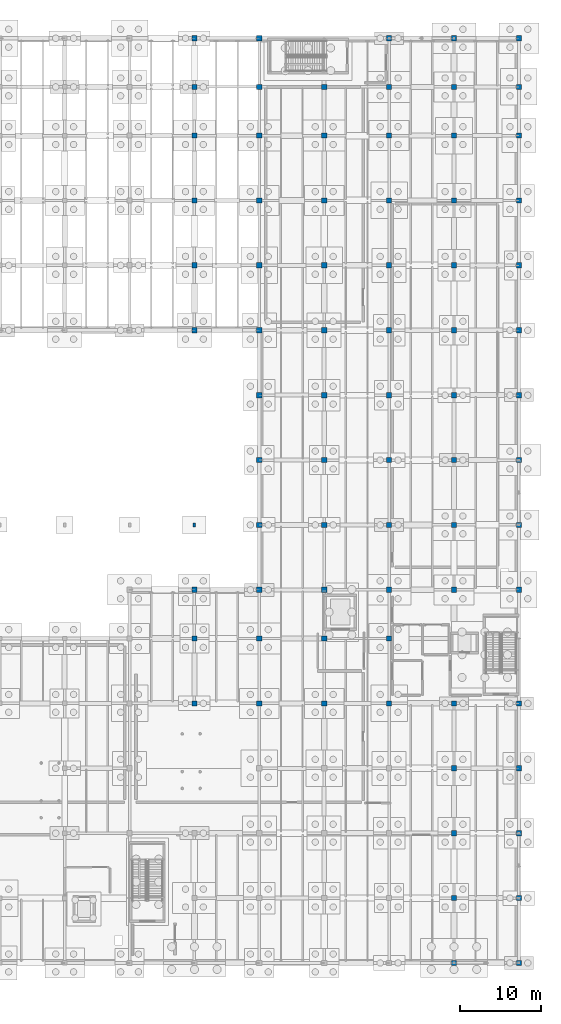
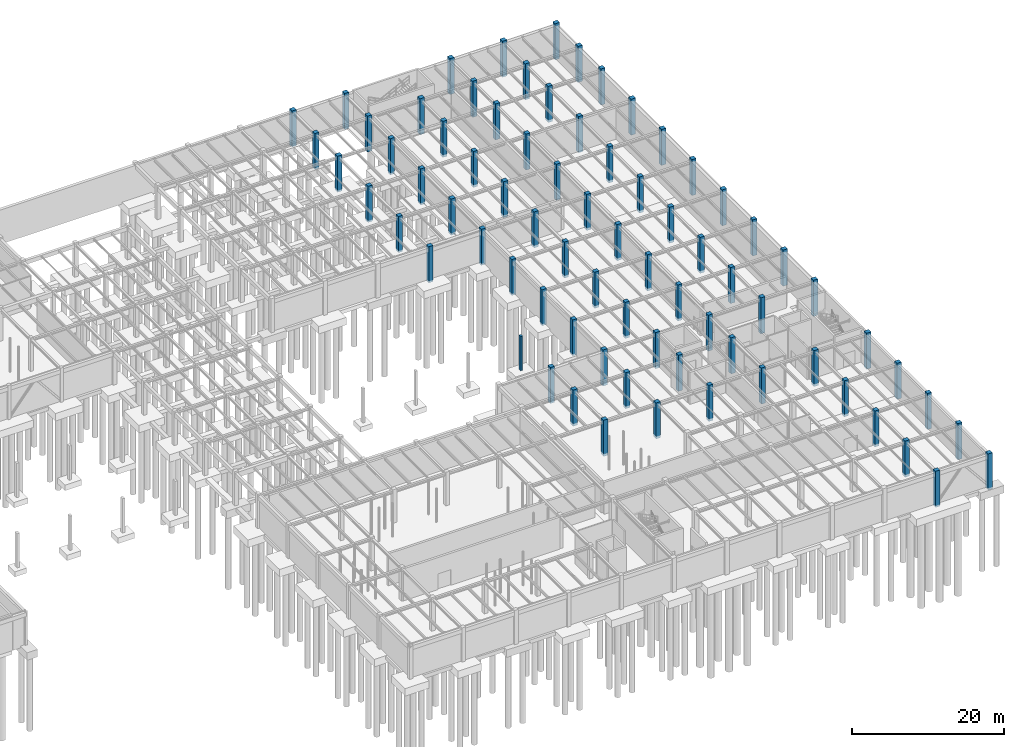
# One storey, part 23 of 71: 75 columns.
"""IFC4 building model written with IfcOpenShell, lengths in metres."""

from ifc_helpers import new_model, si_unit, direction, frame, origin, origin_2d, place, context, subcontext, project, spatial, rectangle, extrude, material, material_profile, profile_set, type_object, element, save


model = new_model("IFC4")

# Units and contexts
model_context = context("Model", 3, precision=1e-05, world=origin(), true_north=direction((0.0, 1.0)))
body_context = subcontext(model_context, "Body", "Model", "MODEL_VIEW")
ifc_project = project(units=[si_unit("LENGTHUNIT", "METRE"), si_unit("AREAUNIT", "SQUARE_METRE"), si_unit("VOLUMEUNIT", "CUBIC_METRE"), si_unit("PLANEANGLEUNIT", "RADIAN"), si_unit("MASSUNIT", "GRAM", prefix="KILO")], contexts=[model_context])

# Site, building, storey
site_placement = place(None, origin())
site = spatial("IfcSite", under=ifc_project, at=site_placement, CompositionType="ELEMENT")
building_placement = place(site_placement, origin())
building = spatial("IfcBuilding", under=site, at=building_placement, Name="Sundkrona Museum", CompositionType="ELEMENT")
storey_placement = place(building_placement, frame((0.0, 0.0, -5.39990234375)))
storey = spatial("IfcBuildingStorey", under=building, at=storey_placement, Name="B1", CompositionType="ELEMENT", Elevation=-5.39990234375)

# Columns
ifc_material = material(Name="Concrete C40/50", Category="concrete")
ifc_material_profile_1 = material_profile(ifc_material, rectangle(XDim=0.64990234375, YDim=0.64990234375, at=origin_2d()), Name="RC 650x650")
ifc_profile_set_1 = profile_set([ifc_material_profile_1], Name="Concrete C40/50")
column_type_1 = type_object("IfcColumnType", Name="C-RC650", PredefinedType="COLUMN", material=ifc_profile_set_1)
for number, where, z_axis, x_axis, name in (
    (1, (128.0, 32.0, -0.400146484375), (0.0, 0.0, 1.0), (1.0, 0.0, 0.0), "B1 Column E/17"),
    (2, (128.0, 40.0, -0.400146484375), (0.0, 0.0, 1.0), (1.0, 0.0, 0.0), "B1 Column F/17"),
    (3, (128.0, 46.0, -0.400146484375), (0.0, 0.0, 1.0), (1.0, 0.0, 0.0), "B1 Column G/17"),
    (4, (128.0, 78.0, -0.400146484375), (0.0, 0.0, 1.0), (1.0, 0.0, 0.0), "B1 Column L/17"),
    (5, (128.0, 86.0, -0.400146484375), (0.0, 0.0, 1.0), (1.0, 0.0, 0.0), "B1 Column M/17"),
    (6, (128.0, 94.0, -0.400146484375), (0.0, 0.0, 1.0), (1.0, 0.0, 0.0), "B1 Column N/17"),
    (7, (128.0, 102.0, -0.400146484375), (0.0, 0.0, 1.0), (1.0, 0.0, 0.0), "B1 Column P/17"),
    (8, (128.0, 108.0, -0.400146484375), (0.0, 0.0, 1.0), (1.0, 0.0, 0.0), "B1 Column Q/17"),
    (9, (128.0, 114.0, -0.400146484375), (0.0, 0.0, 1.0), (1.0, 0.0, 0.0), "B1 Column R/17"),
    (10, (136.0, 32.0, -0.400146484375), (0.0, 0.0, 1.0), (1.0, 0.0, 0.0), "B1 Column E/18"),
    (11, (136.0, 40.0, -0.400146484375), (0.0, 0.0, 1.0), (1.0, 0.0, 0.0), "B1 Column F/18"),
    (12, (136.0, 46.0, -0.400146484375), (0.0, 0.0, 1.0), (1.0, 0.0, 0.0), "B1 Column G/18"),
    (13, (136.0, 54.0, -0.400146484375), (0.0, 0.0, 1.0), (1.0, 0.0, 0.0), "B1 Column H/18"),
    (14, (136.0, 62.0, -0.400146484375), (0.0, 0.0, 1.0), (1.0, 0.0, 0.0), "B1 Column J/18"),
    (15, (136.0, 70.0, -0.400146484375), (0.0, 0.0, 1.0), (1.0, 0.0, 0.0), "B1 Column K/18"),
    (16, (136.0, 78.0, -0.400146484375), (0.0, 0.0, 1.0), (1.0, 0.0, 0.0), "B1 Column L/18"),
    (17, (136.0, 86.0, -0.400146484375), (0.0, 0.0, 1.0), (1.0, 0.0, 0.0), "B1 Column M/18"),
    (18, (136.0, 94.0, -0.400146484375), (0.0, 0.0, 1.0), (1.0, 0.0, 0.0), "B1 Column N/18"),
    (19, (136.0, 102.0, -0.400146484375), (0.0, 0.0, 1.0), (1.0, 0.0, 0.0), "B1 Column P/18"),
    (20, (136.0, 108.0, -0.400146484375), (0.0, 0.0, 1.0), (1.0, 0.0, 0.0), "B1 Column Q/18"),
    (21, (136.0, 114.0, -0.400146484375), (0.0, 0.0, 1.0), (1.0, 0.0, 0.0), "B1 Column R/18"),
    (22, (144.0, 32.0, -0.400146484375), (0.0, 0.0, 1.0), (1.0, 0.0, 0.0), "B1 Column E/19"),
    (23, (144.0, 40.0, -0.400146484375), (0.0, 0.0, 1.0), (1.0, 0.0, 0.0), "B1 Column F/19"),
    (24, (144.0, 46.0, -0.400146484375), (0.0, 0.0, 1.0), (1.0, 0.0, 0.0), "B1 Column G/19"),
    (25, (144.0, 54.0, -0.400146484375), (0.0, 0.0, 1.0), (1.0, 0.0, 0.0), "B1 Column H/19"),
    (26, (144.0, 62.0, -0.400146484375), (0.0, 0.0, 1.0), (1.0, 0.0, 0.0), "B1 Column J/19"),
    (27, (144.0, 70.0, -0.400146484375), (0.0, 0.0, 1.0), (1.0, 0.0, 0.0), "B1 Column K/19"),
    (28, (144.0, 78.0, -0.400146484375), (0.0, 0.0, 1.0), (1.0, 0.0, 0.0), "B1 Column L/19"),
    (29, (144.0, 86.0, -0.400146484375), (0.0, 0.0, 1.0), (1.0, 0.0, 0.0), "B1 Column M/19"),
    (30, (144.0, 94.0, -0.400146484375), (0.0, 0.0, 1.0), (1.0, 0.0, 0.0), "B1 Column N/19"),
    (31, (144.0, 102.0, -0.400146484375), (0.0, 0.0, 1.0), (1.0, 0.0, 0.0), "B1 Column P/19"),
    (32, (144.0, 108.0, -0.400146484375), (0.0, 0.0, 1.0), (1.0, 0.0, 0.0), "B1 Column Q/19"),
    (33, (152.0, 32.0, -0.400146484375), (0.0, 0.0, 1.0), (1.0, 0.0, 0.0), "B1 Column E/20"),
    (34, (152.0, 40.0, -0.400146484375), (0.0, 0.0, 1.0), (1.0, 0.0, 0.0), "B1 Column F/20"),
    (35, (152.0, 46.0, -0.400146484375), (0.0, 0.0, 1.0), (1.0, 0.0, 0.0), "B1 Column G/20"),
    (36, (152.0, 54.0, -0.400146484375), (0.0, 0.0, 1.0), (1.0, 0.0, 0.0), "B1 Column H/20"),
    (37, (152.0, 62.0, -0.400146484375), (0.0, 0.0, 1.0), (1.0, 0.0, 0.0), "B1 Column J/20"),
    (38, (152.0, 70.0, -0.400146484375), (0.0, 0.0, 1.0), (1.0, 0.0, 0.0), "B1 Column K/20"),
    (39, (152.0, 78.0, -0.400146484375), (0.0, 0.0, 1.0), (1.0, 0.0, 0.0), "B1 Column L/20"),
    (40, (152.0, 86.0, -0.400146484375), (0.0, 0.0, 1.0), (1.0, 0.0, 0.0), "B1 Column M/20"),
    (41, (152.0, 94.0, -0.400146484375), (0.0, 0.0, 1.0), (1.0, 0.0, 0.0), "B1 Column N/20"),
    (42, (152.0, 102.0, -0.400146484375), (0.0, 0.0, 1.0), (1.0, 0.0, 0.0), "B1 Column P/20"),
    (43, (152.0, 108.0, -0.400146484375), (0.0, 0.0, 1.0), (1.0, 0.0, 0.0), "B1 Column Q/20"),
    (44, (152.0, 114.0, -0.400146484375), (0.0, 0.0, 1.0), (1.0, 0.0, 0.0), "B1 Column R/20"),
    (45, (160.0, 0.0, -0.400146484375), (0.0, 0.0, 1.0), (1.0, 0.0, 0.0), "B1 Column A/21"),
    (46, (160.0, 8.0, -0.400146484375), (0.0, 0.0, 1.0), (1.0, 0.0, 0.0), "B1 Column B/21"),
    (47, (160.0, 16.0, -0.400146484375), (0.0, 0.0, 1.0), (1.0, 0.0, 0.0), "B1 Column C/21"),
    (48, (160.0, 24.0, -0.400146484375), (0.0, 0.0, 1.0), (1.0, 0.0, 0.0), "B1 Column D/21"),
    (49, (160.0, 32.0, -0.400146484375), (0.0, 0.0, 1.0), (1.0, 0.0, 0.0), "B1 Column E/21"),
    (50, (160.0, 46.0, -0.400146484375), (0.0, 0.0, 1.0), (1.0, 0.0, 0.0), "B1 Column G/21"),
    (51, (160.0, 54.0, -0.400146484375), (0.0, 0.0, 1.0), (1.0, 0.0, 0.0), "B1 Column H/21"),
    (52, (160.0, 62.0, -0.400146484375), (0.0, 0.0, 1.0), (1.0, 0.0, 0.0), "B1 Column J/21"),
    (53, (160.0, 70.0, -0.400146484375), (0.0, 0.0, 1.0), (1.0, 0.0, 0.0), "B1 Column K/21"),
    (54, (160.0, 78.0, -0.400146484375), (0.0, 0.0, 1.0), (1.0, 0.0, 0.0), "B1 Column L/21"),
    (55, (160.0, 86.0, -0.400146484375), (0.0, 0.0, 1.0), (1.0, 0.0, 0.0), "B1 Column M/21"),
    (56, (160.0, 94.0, -0.400146484375), (0.0, 0.0, 1.0), (1.0, 0.0, 0.0), "B1 Column N/21"),
    (57, (160.0, 102.0, -0.400146484375), (0.0, 0.0, 1.0), (1.0, 0.0, 0.0), "B1 Column P/21"),
    (58, (160.0, 108.0, -0.400146484375), (0.0, 0.0, 1.0), (1.0, 0.0, 0.0), "B1 Column Q/21"),
    (59, (160.0, 114.0, -0.400146484375), (0.0, 0.0, 1.0), (1.0, 0.0, 0.0), "B1 Column R/21"),
    (60, (168.0, 0.0, -0.400146484375), (0.0, 0.0, 1.0), (1.0, 0.0, 0.0), "B1 Column A/22"),
    (61, (168.0, 8.0, -0.400146484375), (0.0, 0.0, 1.0), (1.0, 0.0, 0.0), "B1 Column B/22"),
    (62, (168.0, 16.0, -0.400146484375), (0.0, 0.0, 1.0), (1.0, 0.0, 0.0), "B1 Column C/22"),
    (63, (168.0, 24.0, -0.400146484375), (0.0, 0.0, 1.0), (1.0, 0.0, 0.0), "B1 Column D/22"),
    (64, (168.0, 32.0, -0.400146484375), (0.0, 0.0, 1.0), (1.0, 0.0, 0.0), "B1 Column E/22"),
    (65, (168.0, 46.0, -0.400146484375), (0.0, 0.0, 1.0), (1.0, 0.0, 0.0), "B1 Column G/22"),
    (66, (168.0, 54.0, -0.400146484375), (0.0, 0.0, 1.0), (1.0, 0.0, 0.0), "B1 Column H/22"),
    (67, (168.0, 62.0, -0.400146484375), (0.0, 0.0, 1.0), (1.0, 0.0, 0.0), "B1 Column J/22"),
    (68, (168.0, 70.0, -0.400146484375), (0.0, 0.0, 1.0), (1.0, 0.0, 0.0), "B1 Column K/22"),
    (69, (168.0, 78.0, -0.400146484375), (0.0, 0.0, 1.0), (1.0, 0.0, 0.0), "B1 Column L/22"),
    (70, (168.0, 86.0, -0.400146484375), (0.0, 0.0, 1.0), (1.0, 0.0, 0.0), "B1 Column M/22"),
    (71, (168.0, 94.0, -0.400146484375), (0.0, 0.0, 1.0), (1.0, 0.0, 0.0), "B1 Column N/22"),
    (72, (168.0, 102.0, -0.400146484375), (0.0, 0.0, 1.0), (1.0, 0.0, 0.0), "B1 Column P/22"),
    (73, (168.0, 108.0, -0.400146484375), (0.0, 0.0, 1.0), (1.0, 0.0, 0.0), "B1 Column Q/22"),
    (74, (168.0, 114.0, -0.400146484375), (0.0, 0.0, 1.0), (1.0, 0.0, 0.0), "B1 Column R/22"),
):
    element("IfcColumn", number, at=place(storey_placement, frame(where, z_axis=z_axis, x_axis=x_axis)), inside=storey, type_object=column_type_1, Name=name, PredefinedType="COLUMN", context=body_context, shape_type="SweptSolid", body=[
        extrude(rectangle(XDim=0.64990234375, YDim=0.64990234375, at=origin_2d()), origin(), (0.0, 0.0, 1.0), 5.800048828125),
    ])
ifc_material_profile_2 = material_profile(ifc_material, rectangle(XDim=0.300048828125, YDim=0.449951171875, at=origin_2d()), Name="RC 450x300")
ifc_profile_set_2 = profile_set([ifc_material_profile_2], Name="Concrete C40/50")
column_type_2 = type_object("IfcColumnType", Name="PIL-450", PredefinedType="PILASTER", material=ifc_profile_set_2)
column_placement = place(storey_placement, frame((128.0, 54.0, -0.10009765625), z_axis=(0.0, 0.0, 1.0), x_axis=(1.0, 0.0, 0.0)))
element("IfcColumn", 75, at=column_placement, inside=storey, type_object=column_type_2, Name="Arcade Foundation Pier PF-SC-04", PredefinedType="PILASTER", context=body_context, shape_type="SweptSolid", body=[
    extrude(rectangle(XDim=0.300048828125, YDim=0.449951171875, at=origin_2d()), origin(), (0.0, 0.0, 1.0), 5.5),
])

save(model, "model.ifc")
